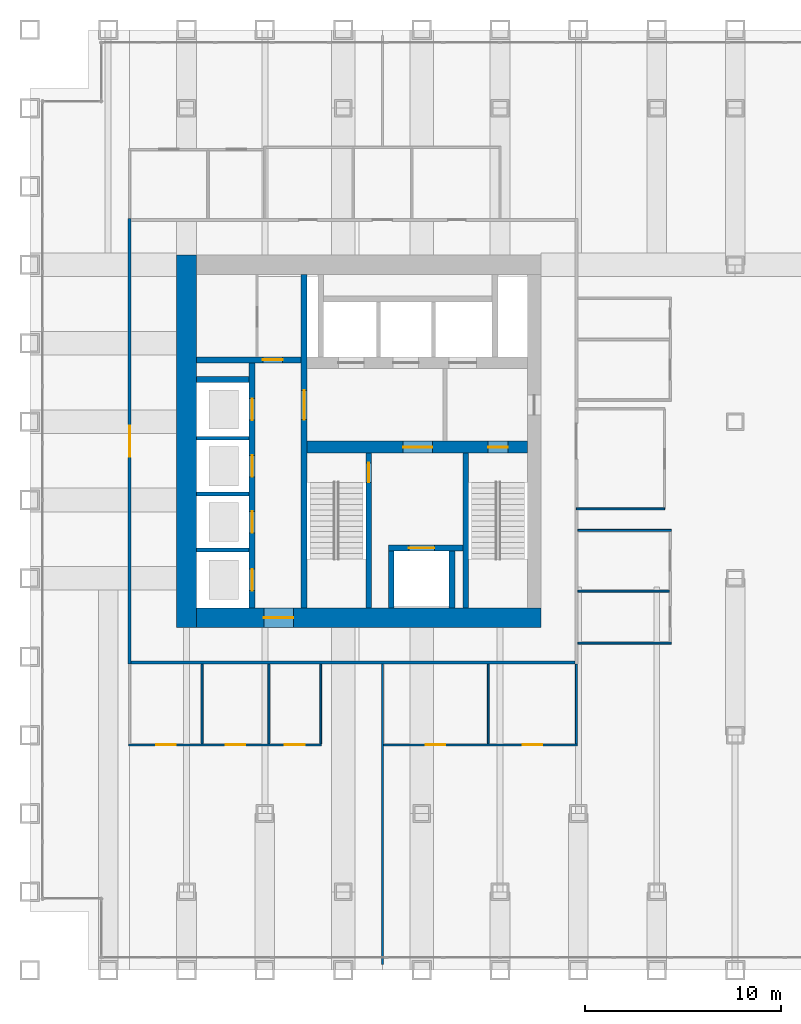
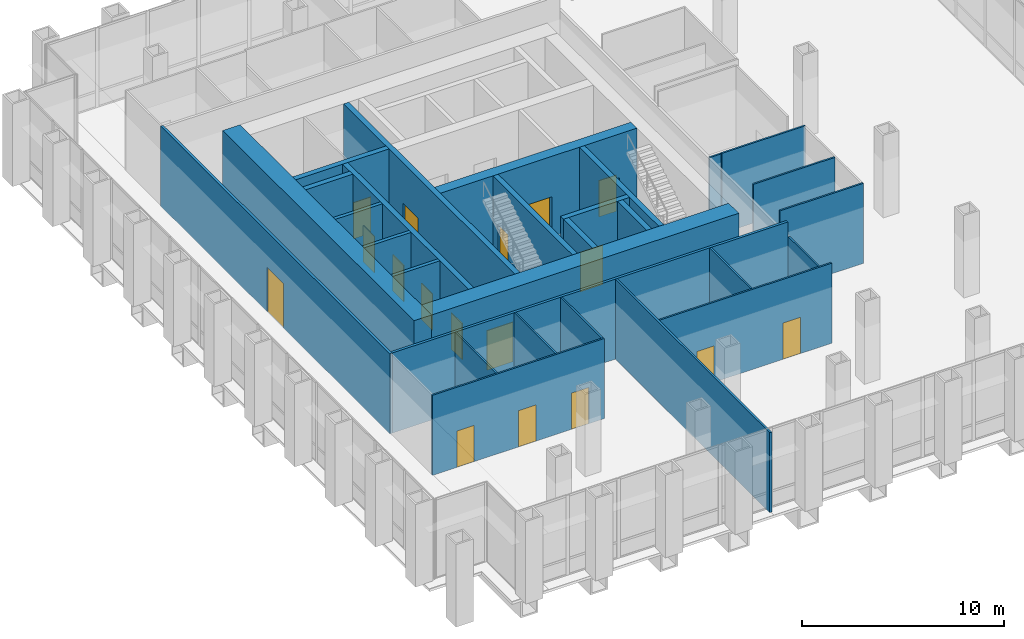
# One storey, part 12 of 16: 29 walls, 17 doors, 17 openings.
"""IFC4 building model written with IfcOpenShell, lengths in metres."""

from ifc_helpers import new_model, si_unit, direction, frame, frame_2d, origin, place, context, subcontext, project, spatial, rectangle, extrude, material, layer, layer_set, type_object, element, fill, save


model = new_model("IFC4")

# Units and contexts
model_context = context("Model", 3, precision=1e-05, world=origin(), true_north=direction((0.0, 1.0)))
body_context = subcontext(model_context, "Body", "Model", "MODEL_VIEW")
ifc_project = project(units=[si_unit("LENGTHUNIT", "METRE"), si_unit("AREAUNIT", "SQUARE_METRE"), si_unit("VOLUMEUNIT", "CUBIC_METRE"), si_unit("PLANEANGLEUNIT", "RADIAN"), si_unit("MASSUNIT", "GRAM", prefix="KILO")], contexts=[model_context])

# Site, building, storey
site_placement = place(None, origin())
site = spatial("IfcSite", under=ifc_project, at=site_placement, CompositionType="ELEMENT")
building_placement = place(site_placement, origin())
building = spatial("IfcBuilding", under=site, at=building_placement, Name="Rimbunsela Tower", CompositionType="ELEMENT")
storey_placement = place(building_placement, frame((0.0, 0.0, 76.39990234375)))
storey = spatial("IfcBuildingStorey", under=building, at=storey_placement, Name="L18", CompositionType="ELEMENT", Elevation=76.39990234375)

# Wall, opening, door
ifc_material_1 = material(Name="Concrete fc' 80 MPa", Category="concrete")
ifc_layer_1 = layer(ifc_material_1, 0.300048828125)
ifc_layer_set_1 = layer_set([ifc_layer_1], Name="Core internal wall 300")
wall_type_1 = type_object("IfcWallType", Name="Core internal wall 300", PredefinedType="SHEAR", material=ifc_layer_set_1)
wall_1_placement = place(storey_placement, frame((24.0, 18.5, -0.14990234375), z_axis=(0.0, 0.0, 1.0), x_axis=(0.0, 1.0, 0.0)))
wall_1 = element("IfcWall", 1, at=wall_1_placement, inside=storey, type_object=wall_type_1, Name="Core wall at stair A", PredefinedType="SHEAR", context=body_context, shape_type="SweptSolid", body=[
    extrude(rectangle(XDim=17.0, YDim=0.300048828125, at=frame_2d((8.5, 0.0))), origin(), (0.0, 0.0, 1.0), 5.0),
])
opening_1_placement = place(wall_1_placement, frame((9.60009765625, 0.0, 0.14990234375)))
opening_1 = element("IfcOpeningElement", 2, at=opening_1_placement, cuts=wall_1, Name="Opening D03", PredefinedType="OPENING", context=body_context, shape_type="SweptSolid", body=[
    extrude(rectangle(XDim=1.5, YDim=2.39990234375, at=frame_2d((0.75, 1.199951171875))), frame((0.0, 0.159912109375, 0.0), z_axis=(0.0, -1.0, 0.0), x_axis=(1.0, 0.0, 0.0)), (0.0, 0.0, 1.0), 0.320068359375),
])
ifc_material_2 = material(Name="Steel door, fire rated", Category="steel")
door_type_1 = type_object("IfcDoorType", Name="Core lobby door 1500", OperationType="DOUBLE_DOOR_DOUBLE_SWING", PredefinedType="DOOR", material=ifc_material_2)
door_1_placement = place(opening_1_placement, origin())
door_1 = element("IfcDoor", 3, at=door_1_placement, inside=storey, type_object=door_type_1, Name="West lobby door", OperationType="DOUBLE_DOOR_DOUBLE_SWING", OverallHeight=2.39990234375, OverallWidth=1.5, PredefinedType="DOOR", context=body_context, shape_type="SweptSolid", body=[
    extrude(rectangle(XDim=1.5, YDim=2.39990234375, at=frame_2d((0.75, 1.199951171875))), frame((0.0, 0.02490234375, 0.0), z_axis=(0.0, -1.0, 0.0), x_axis=(1.0, 0.0, 0.0)), (0.0, 0.0, 1.0), 0.050048828125),
])
fill(opening_1, door_1)

wall_2_placement = place(storey_placement, frame((27.300048828125, 18.5, -0.14990234375), z_axis=(0.0, 0.0, 1.0), x_axis=(0.0, 1.0, 0.0)))
wall_2 = element("IfcWall", 4, at=wall_2_placement, inside=storey, type_object=wall_type_1, Name="Stair A enclosure", PredefinedType="SHEAR", context=body_context, shape_type="SweptSolid", body=[
    extrude(rectangle(XDim=7.89990234375, YDim=0.300048828125, at=frame_2d((3.949951171875, 0.0))), origin(), (0.0, 0.0, 1.0), 5.0),
])
opening_2_placement = place(wall_2_placement, frame((6.39990234375, 0.0, 0.14990234375)))
opening_2 = element("IfcOpeningElement", 5, at=opening_2_placement, cuts=wall_2, Name="Opening D01", PredefinedType="OPENING", context=body_context, shape_type="SweptSolid", body=[
    extrude(rectangle(XDim=1.0, YDim=2.199951171875, at=frame_2d((0.5, 1.10009765625))), frame((0.0, 0.159912109375, 0.0), z_axis=(0.0, -1.0, 0.0), x_axis=(1.0, 0.0, 0.0)), (0.0, 0.0, 1.0), 0.320068359375),
])
ifc_material_3 = material(Name="Steel door, fire rated", Category="steel")
door_type_2 = type_object("IfcDoorType", Name="Stair door 1000", OperationType="SINGLE_SWING_RIGHT", PredefinedType="DOOR", material=ifc_material_3)
door_2_placement = place(opening_2_placement, origin())
door_2 = element("IfcDoor", 6, at=door_2_placement, inside=storey, type_object=door_type_2, Name="Stair A door", OperationType="SINGLE_SWING_RIGHT", OverallHeight=2.199951171875, OverallWidth=1.0, PredefinedType="DOOR", context=body_context, shape_type="SweptSolid", body=[
    extrude(rectangle(XDim=1.0, YDim=2.199951171875, at=frame_2d((0.5, 1.10009765625))), frame((0.0, 0.02490234375, 0.0), z_axis=(0.0, -1.0, 0.0), x_axis=(1.0, 0.0, 0.0)), (0.0, 0.0, 1.0), 0.050048828125),
])
fill(opening_2, door_2)

# Walls
wall_3_placement = place(storey_placement, frame((32.25, 18.5, -0.14990234375), z_axis=(0.0, 0.0, 1.0), x_axis=(0.0, 1.0, 0.0)))
element("IfcWall", 7, at=wall_3_placement, inside=storey, type_object=wall_type_1, Name="Stair B enclosure", PredefinedType="SHEAR", context=body_context, shape_type="SweptSolid", body=[
    extrude(rectangle(XDim=7.89990234375, YDim=0.300048828125, at=frame_2d((3.949951171875, 0.0))), origin(), (0.0, 0.0, 1.0), 5.0),
])
for number, where, z_axis, x_axis, name in (
    (8, (28.449951171875, 18.5, -0.14990234375), (0.0, 0.0, 1.0), (0.0, 1.0, 0.0), "Firefighting lift shaft west"),
    (9, (31.550048828125, 18.5, -0.14990234375), (0.0, 0.0, 1.0), (0.0, 1.0, 0.0), "Firefighting lift shaft east"),
):
    element("IfcWall", number, at=place(storey_placement, frame(where, z_axis=z_axis, x_axis=x_axis)), inside=storey, type_object=wall_type_1, Name=name, PredefinedType="SHEAR", context=body_context, shape_type="SweptSolid", body=[
        extrude(rectangle(XDim=2.89990234375, YDim=0.300048828125, at=frame_2d((1.449951171875, 0.0))), origin(), (0.0, 0.0, 1.0), 5.0),
    ])

# Wall, opening, door
wall_4_placement = place(storey_placement, frame((28.300048828125, 21.550048828125, -0.14990234375), z_axis=(0.0, 0.0, 1.0), x_axis=(1.0, 0.0, 0.0)))
wall_4 = element("IfcWall", 10, at=wall_4_placement, inside=storey, type_object=wall_type_1, Name="Firefighting lift shaft front", PredefinedType="SHEAR", context=body_context, shape_type="SweptSolid", body=[
    extrude(rectangle(XDim=3.800048828125, YDim=0.300048828125, at=frame_2d((1.89990234375, 0.0))), origin(), (0.0, 0.0, 1.0), 5.0),
])
opening_3_placement = place(wall_4_placement, frame((1.050048828125, 0.0, 0.14990234375)))
opening_3 = element("IfcOpeningElement", 11, at=opening_3_placement, cuts=wall_4, Name="Opening LD2", PredefinedType="OPENING", context=body_context, shape_type="SweptSolid", body=[
    extrude(rectangle(XDim=1.300048828125, YDim=2.39990234375, at=frame_2d((0.64990234375, 1.199951171875))), frame((0.0, 0.159912109375, 0.0), z_axis=(0.0, -1.0, 0.0), x_axis=(1.0, 0.0, 0.0)), (0.0, 0.0, 1.0), 0.320068359375),
])
ifc_material_4 = material(Name="Steel door, fire rated", Category="steel")
door_type_3 = type_object("IfcDoorType", Name="Lift landing door 1300", OperationType="DOUBLE_DOOR_SLIDING", PredefinedType="DOOR", material=ifc_material_4)
door_3_placement = place(opening_3_placement, origin())
door_3 = element("IfcDoor", 12, at=door_3_placement, inside=storey, type_object=door_type_3, Name="Lift landing door FL1", OperationType="DOUBLE_DOOR_SLIDING", OverallHeight=2.39990234375, OverallWidth=1.300048828125, PredefinedType="DOOR", context=body_context, shape_type="SweptSolid", body=[
    extrude(rectangle(XDim=1.300048828125, YDim=2.39990234375, at=frame_2d((0.64990234375, 1.199951171875))), frame((0.0, 0.02490234375, 0.0), z_axis=(0.0, -1.0, 0.0), x_axis=(1.0, 0.0, 0.0)), (0.0, 0.0, 1.0), 0.050048828125),
])
fill(opening_3, door_3)

# Wall, openings, doors
wall_5_placement = place(storey_placement, frame((21.35009765625, 18.5, -0.14990234375), z_axis=(0.0, 0.0, 1.0), x_axis=(0.0, 1.0, 0.0)))
wall_5 = element("IfcWall", 13, at=wall_5_placement, inside=storey, type_object=wall_type_1, Name="Lift shaft front west", PredefinedType="SHEAR", context=body_context, shape_type="SweptSolid", body=[
    extrude(rectangle(XDim=12.5, YDim=0.300048828125, at=frame_2d((6.25, 0.0))), origin(), (0.0, 0.0, 1.0), 5.0),
])
opening_4_placement = place(wall_5_placement, frame((0.875, 0.0, 0.14990234375)))
opening_4 = element("IfcOpeningElement", 14, at=opening_4_placement, cuts=wall_5, Name="Opening LD1", PredefinedType="OPENING", context=body_context, shape_type="SweptSolid", body=[
    extrude(rectangle(XDim=1.10009765625, YDim=2.199951171875, at=frame_2d((0.550048828125, 1.10009765625))), frame((0.0, 0.159912109375, 0.0), z_axis=(0.0, -1.0, 0.0), x_axis=(1.0, 0.0, 0.0)), (0.0, 0.0, 1.0), 0.320068359375),
])
opening_5_placement = place(wall_5_placement, frame((3.824951171875, 0.0, 0.14990234375)))
opening_5 = element("IfcOpeningElement", 15, at=opening_5_placement, cuts=wall_5, Name="Opening LD1", PredefinedType="OPENING", context=body_context, shape_type="SweptSolid", body=[
    extrude(rectangle(XDim=1.10009765625, YDim=2.199951171875, at=frame_2d((0.550048828125, 1.10009765625))), frame((0.0, 0.159912109375, 0.0), z_axis=(0.0, -1.0, 0.0), x_axis=(1.0, 0.0, 0.0)), (0.0, 0.0, 1.0), 0.320068359375),
])
opening_6_placement = place(wall_5_placement, frame((6.675048828125, 0.0, 0.14990234375)))
opening_6 = element("IfcOpeningElement", 16, at=opening_6_placement, cuts=wall_5, Name="Opening LD1", PredefinedType="OPENING", context=body_context, shape_type="SweptSolid", body=[
    extrude(rectangle(XDim=1.10009765625, YDim=2.199951171875, at=frame_2d((0.550048828125, 1.10009765625))), frame((0.0, 0.159912109375, 0.0), z_axis=(0.0, -1.0, 0.0), x_axis=(1.0, 0.0, 0.0)), (0.0, 0.0, 1.0), 0.320068359375),
])
opening_7_placement = place(wall_5_placement, frame((9.574951171875, 0.0, 0.14990234375)))
opening_7 = element("IfcOpeningElement", 17, at=opening_7_placement, cuts=wall_5, Name="Opening LD1", PredefinedType="OPENING", context=body_context, shape_type="SweptSolid", body=[
    extrude(rectangle(XDim=1.10009765625, YDim=2.199951171875, at=frame_2d((0.550048828125, 1.10009765625))), frame((0.0, 0.159912109375, 0.0), z_axis=(0.0, -1.0, 0.0), x_axis=(1.0, 0.0, 0.0)), (0.0, 0.0, 1.0), 0.320068359375),
])
ifc_material_5 = material(Name="Steel door, fire rated", Category="steel")
door_type_4 = type_object("IfcDoorType", Name="Lift landing door 1100", OperationType="DOUBLE_DOOR_SLIDING", PredefinedType="DOOR", material=ifc_material_5)
door_4_placement = place(opening_4_placement, origin())
door_4 = element("IfcDoor", 18, at=door_4_placement, inside=storey, type_object=door_type_4, Name="Lift landing door ML1", OperationType="DOUBLE_DOOR_SLIDING", OverallHeight=2.199951171875, OverallWidth=1.10009765625, PredefinedType="DOOR", context=body_context, shape_type="SweptSolid", body=[
    extrude(rectangle(XDim=1.10009765625, YDim=2.199951171875, at=frame_2d((0.550048828125, 1.10009765625))), frame((0.0, 0.02490234375, 0.0), z_axis=(0.0, -1.0, 0.0), x_axis=(1.0, 0.0, 0.0)), (0.0, 0.0, 1.0), 0.050048828125),
])
fill(opening_4, door_4)
door_5_placement = place(opening_5_placement, origin())
door_5 = element("IfcDoor", 19, at=door_5_placement, inside=storey, type_object=door_type_4, Name="Lift landing door ML2", OperationType="DOUBLE_DOOR_SLIDING", OverallHeight=2.199951171875, OverallWidth=1.10009765625, PredefinedType="DOOR", context=body_context, shape_type="SweptSolid", body=[
    extrude(rectangle(XDim=1.10009765625, YDim=2.199951171875, at=frame_2d((0.550048828125, 1.10009765625))), frame((0.0, 0.02490234375, 0.0), z_axis=(0.0, -1.0, 0.0), x_axis=(1.0, 0.0, 0.0)), (0.0, 0.0, 1.0), 0.050048828125),
])
fill(opening_5, door_5)
door_6_placement = place(opening_6_placement, origin())
door_6 = element("IfcDoor", 20, at=door_6_placement, inside=storey, type_object=door_type_4, Name="Lift landing door ML3", OperationType="DOUBLE_DOOR_SLIDING", OverallHeight=2.199951171875, OverallWidth=1.10009765625, PredefinedType="DOOR", context=body_context, shape_type="SweptSolid", body=[
    extrude(rectangle(XDim=1.10009765625, YDim=2.199951171875, at=frame_2d((0.550048828125, 1.10009765625))), frame((0.0, 0.02490234375, 0.0), z_axis=(0.0, -1.0, 0.0), x_axis=(1.0, 0.0, 0.0)), (0.0, 0.0, 1.0), 0.050048828125),
])
fill(opening_6, door_6)
door_7_placement = place(opening_7_placement, origin())
door_7 = element("IfcDoor", 21, at=door_7_placement, inside=storey, type_object=door_type_4, Name="Lift landing door ML4", OperationType="DOUBLE_DOOR_SLIDING", OverallHeight=2.199951171875, OverallWidth=1.10009765625, PredefinedType="DOOR", context=body_context, shape_type="SweptSolid", body=[
    extrude(rectangle(XDim=1.10009765625, YDim=2.199951171875, at=frame_2d((0.550048828125, 1.10009765625))), frame((0.0, 0.02490234375, 0.0), z_axis=(0.0, -1.0, 0.0), x_axis=(1.0, 0.0, 0.0)), (0.0, 0.0, 1.0), 0.050048828125),
])
fill(opening_7, door_7)

# Wall, opening, door
wall_6_placement = place(storey_placement, frame((18.5, 31.14990234375, -0.14990234375), z_axis=(0.0, 0.0, 1.0), x_axis=(1.0, 0.0, 0.0)))
wall_6 = element("IfcWall", 22, at=wall_6_placement, inside=storey, type_object=wall_type_1, Name="Store wall", PredefinedType="SHEAR", context=body_context, shape_type="SweptSolid", body=[
    extrude(rectangle(XDim=5.35009765625, YDim=0.300048828125, at=frame_2d((2.675048828125, 0.0))), origin(), (0.0, 0.0, 1.0), 5.0),
])
opening_8_placement = place(wall_6_placement, frame((3.39990234375, 0.0, 0.14990234375)))
opening_8 = element("IfcOpeningElement", 23, at=opening_8_placement, cuts=wall_6, Name="Opening D19", PredefinedType="OPENING", context=body_context, shape_type="SweptSolid", body=[
    extrude(rectangle(XDim=1.0, YDim=2.199951171875, at=frame_2d((0.5, 1.10009765625))), frame((0.0, 0.159912109375, 0.0), z_axis=(0.0, -1.0, 0.0), x_axis=(1.0, 0.0, 0.0)), (0.0, 0.0, 1.0), 0.320068359375),
])
ifc_material_6 = material(Name="Steel door, fire rated", Category="steel")
door_type_5 = type_object("IfcDoorType", Name="Service door 1000 fire rated", OperationType="SINGLE_SWING_LEFT", PredefinedType="DOOR", material=ifc_material_6)
door_8_placement = place(opening_8_placement, origin())
door_8 = element("IfcDoor", 24, at=door_8_placement, inside=storey, type_object=door_type_5, Name="Staff pantry door", OperationType="SINGLE_SWING_LEFT", OverallHeight=2.199951171875, OverallWidth=1.0, PredefinedType="DOOR", context=body_context, shape_type="SweptSolid", body=[
    extrude(rectangle(XDim=1.0, YDim=2.199951171875, at=frame_2d((0.5, 1.10009765625))), frame((0.0, 0.02490234375, 0.0), z_axis=(0.0, -1.0, 0.0), x_axis=(1.0, 0.0, 0.0)), (0.0, 0.0, 1.0), 0.050048828125),
])
fill(opening_8, door_8)

# Wall
wall_7_placement = place(storey_placement, frame((18.5, 30.14990234375, -0.14990234375), z_axis=(0.0, 0.0, 1.0), x_axis=(1.0, 0.0, 0.0)))
element("IfcWall", 25, at=wall_7_placement, inside=storey, type_object=wall_type_1, Name="Lift shaft rear west", PredefinedType="SHEAR", context=body_context, shape_type="SweptSolid", body=[
    extrude(rectangle(XDim=2.699951171875, YDim=0.300048828125, at=frame_2d((1.35009765625, 0.0))), origin(), (0.0, 0.0, 1.0), 5.0),
])

# Wall, openings, doors
ifc_material_7 = material(Name="Concrete fc' 80 MPa", Category="concrete")
ifc_layer_2 = layer(ifc_material_7, 0.60009765625)
ifc_layer_set_2 = layer_set([ifc_layer_2], Name="Core internal wall 600")
wall_type_2 = type_object("IfcWallType", Name="Core internal wall 600", PredefinedType="SHEAR", material=ifc_layer_set_2)
wall_8_placement = place(storey_placement, frame((24.14990234375, 26.699951171875, -0.14990234375), z_axis=(0.0, 0.0, 1.0), x_axis=(1.0, 0.0, 0.0)))
wall_8 = element("IfcWall", 26, at=wall_8_placement, inside=storey, type_object=wall_type_2, Name="Core wall lobby south", PredefinedType="SHEAR", context=body_context, shape_type="SweptSolid", body=[
    extrude(rectangle(XDim=11.25, YDim=0.60009765625, at=frame_2d((5.625, 0.0))), origin(), (0.0, 0.0, 1.0), 5.0),
])
opening_9_placement = place(wall_8_placement, frame((9.25, 0.0, 0.14990234375)))
opening_9 = element("IfcOpeningElement", 27, at=opening_9_placement, cuts=wall_8, Name="Opening D01", PredefinedType="OPENING", context=body_context, shape_type="SweptSolid", body=[
    extrude(rectangle(XDim=1.0, YDim=2.199951171875, at=frame_2d((0.5, 1.10009765625))), frame((0.0, 0.31005859375, 0.0), z_axis=(0.0, -1.0, 0.0), x_axis=(1.0, 0.0, 0.0)), (0.0, 0.0, 1.0), 0.6201171875),
])
opening_10_placement = place(wall_8_placement, frame((4.89990234375, 0.0, 0.14990234375)))
opening_10 = element("IfcOpeningElement", 28, at=opening_10_placement, cuts=wall_8, Name="Opening D03", PredefinedType="OPENING", context=body_context, shape_type="SweptSolid", body=[
    extrude(rectangle(XDim=1.5, YDim=2.39990234375, at=frame_2d((0.75, 1.199951171875))), frame((0.0, 0.31005859375, 0.0), z_axis=(0.0, -1.0, 0.0), x_axis=(1.0, 0.0, 0.0)), (0.0, 0.0, 1.0), 0.6201171875),
])
door_9_placement = place(opening_10_placement, origin())
door_9 = element("IfcDoor", 29, at=door_9_placement, inside=storey, type_object=door_type_1, Name="Firefighting lobby door", OperationType="DOUBLE_DOOR_DOUBLE_SWING", OverallHeight=2.39990234375, OverallWidth=1.5, PredefinedType="DOOR", context=body_context, shape_type="SweptSolid", body=[
    extrude(rectangle(XDim=1.5, YDim=2.39990234375, at=frame_2d((0.75, 1.199951171875))), frame((0.0, 0.02490234375, 0.0), z_axis=(0.0, -1.0, 0.0), x_axis=(1.0, 0.0, 0.0)), (0.0, 0.0, 1.0), 0.050048828125),
])
fill(opening_10, door_9)
door_10_placement = place(opening_9_placement, frame((1.0, 0.0, 0.0), z_axis=(0.0, 0.0, 1.0), x_axis=(-1.0, 0.0, 0.0)))
door_10 = element("IfcDoor", 30, at=door_10_placement, inside=storey, type_object=door_type_2, Name="Stair B door", OperationType="SINGLE_SWING_RIGHT", OverallHeight=2.199951171875, OverallWidth=1.0, PredefinedType="DOOR", context=body_context, shape_type="SweptSolid", body=[
    extrude(rectangle(XDim=1.0, YDim=2.199951171875, at=frame_2d((0.5, 1.10009765625))), frame((0.0, 0.02490234375, 0.0), z_axis=(0.0, -1.0, 0.0), x_axis=(1.0, 0.0, 0.0)), (0.0, 0.0, 1.0), 0.050048828125),
])
fill(opening_9, door_10)

# Wall
ifc_material_8 = material(Name="Concrete fc' 80 MPa", Category="concrete")
ifc_layer_3 = layer(ifc_material_8, 1.0)
ifc_layer_set_3 = layer_set([ifc_layer_3], Name="Core wall 1000")
wall_type_3 = type_object("IfcWallType", Name="Core wall 1000", PredefinedType="SHEAR", material=ifc_layer_set_3)
wall_9_placement = place(storey_placement, frame((18.0, 17.5, -0.14990234375), z_axis=(0.0, 0.0, 1.0), x_axis=(0.0, 1.0, 0.0)))
element("IfcWall", 31, at=wall_9_placement, inside=storey, type_object=wall_type_3, Name="Core wall west", PredefinedType="SHEAR", context=body_context, shape_type="SweptSolid", body=[
    extrude(rectangle(XDim=19.0, YDim=1.0, at=frame_2d((9.5, 0.0))), origin(), (0.0, 0.0, 1.0), 5.0),
])

# Wall, opening, door
wall_10_placement = place(storey_placement, frame((18.5, 18.0, -0.14990234375), z_axis=(0.0, 0.0, 1.0), x_axis=(1.0, 0.0, 0.0)))
wall_10 = element("IfcWall", 32, at=wall_10_placement, inside=storey, type_object=wall_type_3, Name="Core wall south", PredefinedType="SHEAR", context=body_context, shape_type="SweptSolid", body=[
    extrude(rectangle(XDim=17.60009765625, YDim=1.0, at=frame_2d((8.800048828125, 0.0))), origin(), (0.0, 0.0, 1.0), 5.0),
])
opening_11_placement = place(wall_10_placement, frame((3.449951171875, 0.0, 0.14990234375)))
opening_11 = element("IfcOpeningElement", 33, at=opening_11_placement, cuts=wall_10, Name="Opening D03", PredefinedType="OPENING", context=body_context, shape_type="SweptSolid", body=[
    extrude(rectangle(XDim=1.5, YDim=2.39990234375, at=frame_2d((0.75, 1.199951171875))), frame((0.0, 0.510009765625, 0.0), z_axis=(0.0, -1.0, 0.0), x_axis=(1.0, 0.0, 0.0)), (0.0, 0.0, 1.0), 1.02001953125),
])
door_11_placement = place(opening_11_placement, origin())
door_11 = element("IfcDoor", 34, at=door_11_placement, inside=storey, type_object=door_type_1, Name="Core door south", OperationType="DOUBLE_DOOR_DOUBLE_SWING", OverallHeight=2.39990234375, OverallWidth=1.5, PredefinedType="DOOR", context=body_context, shape_type="SweptSolid", body=[
    extrude(rectangle(XDim=1.5, YDim=2.39990234375, at=frame_2d((0.75, 1.199951171875))), frame((0.0, 0.02490234375, 0.0), z_axis=(0.0, -1.0, 0.0), x_axis=(1.0, 0.0, 0.0)), (0.0, 0.0, 1.0), 0.050048828125),
])
fill(opening_11, door_11)

# Walls
ifc_material_9 = material(Name="Concrete blockwork", Category="masonry")
ifc_layer_4 = layer(ifc_material_9, 0.199951171875)
ifc_layer_set_4 = layer_set([ifc_layer_4], Name="Lift shaft wall 200")
wall_type_4 = type_object("IfcWallType", Name="Lift shaft wall 200", PredefinedType="SOLIDWALL", material=ifc_layer_set_4)
for number, where, z_axis, x_axis, name in (
    (35, (18.5, 21.449951171875, -0.14990234375), (0.0, 0.0, 1.0), (1.0, 0.0, 0.0), "Lift shaft separation"),
    (36, (18.5, 24.300048828125, -0.14990234375), (0.0, 0.0, 1.0), (1.0, 0.0, 0.0), "Lift shaft separation"),
    (37, (18.5, 27.14990234375, -0.14990234375), (0.0, 0.0, 1.0), (1.0, 0.0, 0.0), "Lift shaft separation"),
):
    element("IfcWall", number, at=place(storey_placement, frame(where, z_axis=z_axis, x_axis=x_axis)), inside=storey, type_object=wall_type_4, Name=name, PredefinedType="SOLIDWALL", context=body_context, shape_type="SweptSolid", body=[
        extrude(rectangle(XDim=2.699951171875, YDim=0.199951171875, at=frame_2d((1.35009765625, 0.0))), origin(), (0.0, 0.0, 1.0), 5.0),
    ])

# Wall, openings, doors
ifc_material_10 = material(Name="Gypsum board on steel studs", Category="steel")
ifc_layer_5 = layer(ifc_material_10, 0.10009765625)
ifc_layer_set_5 = layer_set([ifc_layer_5], Name="Office partition 100")
wall_type_5 = type_object("IfcWallType", Name="Office partition 100", PredefinedType="PARTITIONING", material=ifc_layer_set_5)
wall_11_placement = place(storey_placement, frame((15.050048828125, 11.5, 0.0), z_axis=(0.0, 0.0, 1.0), x_axis=(1.0, 0.0, 0.0)))
wall_11 = element("IfcWall", 38, at=wall_11_placement, inside=storey, type_object=wall_type_5, Name="Office partition", PredefinedType="PARTITIONING", context=body_context, shape_type="SweptSolid", body=[
    extrude(rectangle(XDim=9.849853515625, YDim=0.10009765625, at=frame_2d((4.9248046875, 0.0))), origin(), (0.0, 0.0, 1.0), 4.85009765625),
])
opening_12_placement = place(wall_11_placement, frame((1.39990234375, 0.0, 0.0)))
opening_12 = element("IfcOpeningElement", 39, at=opening_12_placement, cuts=wall_11, Name="Opening D17", PredefinedType="OPENING", context=body_context, shape_type="SweptSolid", body=[
    extrude(rectangle(XDim=1.0, YDim=2.199951171875, at=frame_2d((0.5, 1.10009765625))), frame((0.0, 0.06005859375, 0.0), z_axis=(0.0, -1.0, 0.0), x_axis=(1.0, 0.0, 0.0)), (0.0, 0.0, 1.0), 0.1201171875),
])
opening_13_placement = place(wall_11_placement, frame((4.949951171875, 0.0, 0.0)))
opening_13 = element("IfcOpeningElement", 40, at=opening_13_placement, cuts=wall_11, Name="Opening D16", PredefinedType="OPENING", context=body_context, shape_type="SweptSolid", body=[
    extrude(rectangle(XDim=1.0, YDim=2.199951171875, at=frame_2d((0.5, 1.10009765625))), frame((0.0, 0.06005859375, 0.0), z_axis=(0.0, -1.0, 0.0), x_axis=(1.0, 0.0, 0.0)), (0.0, 0.0, 1.0), 0.1201171875),
])
opening_14_placement = place(wall_11_placement, frame((7.97509765625, 0.0, 0.0)))
opening_14 = element("IfcOpeningElement", 41, at=opening_14_placement, cuts=wall_11, Name="Opening D16", PredefinedType="OPENING", context=body_context, shape_type="SweptSolid", body=[
    extrude(rectangle(XDim=1.0, YDim=2.199951171875, at=frame_2d((0.5, 1.10009765625))), frame((0.0, 0.06005859375, 0.0), z_axis=(0.0, -1.0, 0.0), x_axis=(1.0, 0.0, 0.0)), (0.0, 0.0, 1.0), 0.1201171875),
])
ifc_material_11 = material(Name="Glazed aluminium door", Category="aluminium")
door_type_6 = type_object("IfcDoorType", Name="Meeting room door 1000 glazed", OperationType="SINGLE_SWING_RIGHT", PredefinedType="DOOR", material=ifc_material_11)
door_12_placement = place(opening_12_placement, origin())
door_12 = element("IfcDoor", 42, at=door_12_placement, inside=storey, type_object=door_type_6, Name="Meeting room door", OperationType="SINGLE_SWING_RIGHT", OverallHeight=2.199951171875, OverallWidth=1.0, PredefinedType="DOOR", context=body_context, shape_type="SweptSolid", body=[
    extrude(rectangle(XDim=1.0, YDim=2.199951171875, at=frame_2d((0.5, 1.10009765625))), frame((0.0, 0.02490234375, 0.0), z_axis=(0.0, -1.0, 0.0), x_axis=(1.0, 0.0, 0.0)), (0.0, 0.0, 1.0), 0.050048828125),
])
fill(opening_12, door_12)
ifc_material_12 = material(Name="Timber door", Category="wood")
door_type_7 = type_object("IfcDoorType", Name="Office door 1000", OperationType="SINGLE_SWING_LEFT", PredefinedType="DOOR", material=ifc_material_12)
door_13_placement = place(opening_13_placement, origin())
door_13 = element("IfcDoor", 43, at=door_13_placement, inside=storey, type_object=door_type_7, Name="Office door", OperationType="SINGLE_SWING_LEFT", OverallHeight=2.199951171875, OverallWidth=1.0, PredefinedType="DOOR", context=body_context, shape_type="SweptSolid", body=[
    extrude(rectangle(XDim=1.0, YDim=2.199951171875, at=frame_2d((0.5, 1.10009765625))), frame((0.0, 0.02490234375, 0.0), z_axis=(0.0, -1.0, 0.0), x_axis=(1.0, 0.0, 0.0)), (0.0, 0.0, 1.0), 0.050048828125),
])
fill(opening_13, door_13)
door_14_placement = place(opening_14_placement, origin())
door_14 = element("IfcDoor", 44, at=door_14_placement, inside=storey, type_object=door_type_7, Name="Office door", OperationType="SINGLE_SWING_LEFT", OverallHeight=2.199951171875, OverallWidth=1.0, PredefinedType="DOOR", context=body_context, shape_type="SweptSolid", body=[
    extrude(rectangle(XDim=1.0, YDim=2.199951171875, at=frame_2d((0.5, 1.10009765625))), frame((0.0, 0.02490234375, 0.0), z_axis=(0.0, -1.0, 0.0), x_axis=(1.0, 0.0, 0.0)), (0.0, 0.0, 1.0), 0.050048828125),
])
fill(opening_14, door_14)

wall_12_placement = place(storey_placement, frame((28.06103515625, 11.5, 0.0), z_axis=(0.0, 0.0, 1.0), x_axis=(1.0, 0.0, 0.0)))
wall_12 = element("IfcWall", 45, at=wall_12_placement, inside=storey, type_object=wall_type_5, Name="Office partition", PredefinedType="PARTITIONING", context=body_context, shape_type="SweptSolid", body=[
    extrude(rectangle(XDim=9.888916015625, YDim=0.10009765625, at=frame_2d((4.9443359375, 0.0))), origin(), (0.0, 0.0, 1.0), 4.85009765625),
])
opening_15_placement = place(wall_12_placement, frame((2.139892578125, 0.0, 0.0)))
opening_15 = element("IfcOpeningElement", 46, at=opening_15_placement, cuts=wall_12, Name="Opening D17", PredefinedType="OPENING", context=body_context, shape_type="SweptSolid", body=[
    extrude(rectangle(XDim=1.0, YDim=2.199951171875, at=frame_2d((0.5, 1.10009765625))), frame((0.0, 0.06005859375, 0.0), z_axis=(0.0, -1.0, 0.0), x_axis=(1.0, 0.0, 0.0)), (0.0, 0.0, 1.0), 0.1201171875),
])
opening_16_placement = place(wall_12_placement, frame((7.089599609375, 0.0, 0.0)))
opening_16 = element("IfcOpeningElement", 47, at=opening_16_placement, cuts=wall_12, Name="Opening D16", PredefinedType="OPENING", context=body_context, shape_type="SweptSolid", body=[
    extrude(rectangle(XDim=1.0, YDim=2.199951171875, at=frame_2d((0.5, 1.10009765625))), frame((0.0, 0.06005859375, 0.0), z_axis=(0.0, -1.0, 0.0), x_axis=(1.0, 0.0, 0.0)), (0.0, 0.0, 1.0), 0.1201171875),
])
door_15_placement = place(opening_15_placement, origin())
door_15 = element("IfcDoor", 48, at=door_15_placement, inside=storey, type_object=door_type_6, Name="Meeting room door", OperationType="SINGLE_SWING_RIGHT", OverallHeight=2.199951171875, OverallWidth=1.0, PredefinedType="DOOR", context=body_context, shape_type="SweptSolid", body=[
    extrude(rectangle(XDim=1.0, YDim=2.199951171875, at=frame_2d((0.5, 1.10009765625))), frame((0.0, 0.02490234375, 0.0), z_axis=(0.0, -1.0, 0.0), x_axis=(1.0, 0.0, 0.0)), (0.0, 0.0, 1.0), 0.050048828125),
])
fill(opening_15, door_15)
door_16_placement = place(opening_16_placement, origin())
door_16 = element("IfcDoor", 49, at=door_16_placement, inside=storey, type_object=door_type_7, Name="Office door", OperationType="SINGLE_SWING_LEFT", OverallHeight=2.199951171875, OverallWidth=1.0, PredefinedType="DOOR", context=body_context, shape_type="SweptSolid", body=[
    extrude(rectangle(XDim=1.0, YDim=2.199951171875, at=frame_2d((0.5, 1.10009765625))), frame((0.0, 0.02490234375, 0.0), z_axis=(0.0, -1.0, 0.0), x_axis=(1.0, 0.0, 0.0)), (0.0, 0.0, 1.0), 0.050048828125),
])
fill(opening_16, door_16)

# Walls
wall_13_placement = place(storey_placement, frame((37.97509765625, 16.699951171875, 0.0), z_axis=(0.0, 0.0, 1.0), x_axis=(1.0, 0.0, 0.0)))
element("IfcWall", 50, at=wall_13_placement, inside=storey, type_object=wall_type_5, Name="Office partition", PredefinedType="PARTITIONING", context=body_context, shape_type="SweptSolid", body=[
    extrude(rectangle(XDim=4.77490234375, YDim=0.10009765625, at=frame_2d((2.387451171875, 0.0))), origin(), (0.0, 0.0, 1.0), 4.85009765625),
])
wall_14_placement = place(storey_placement, frame((37.97509765625, 19.35009765625, 0.0), z_axis=(0.0, 0.0, 1.0), x_axis=(1.0, 0.0, 0.0)))
element("IfcWall", 51, at=wall_14_placement, inside=storey, type_object=wall_type_5, Name="Office partition", PredefinedType="PARTITIONING", context=body_context, shape_type="SweptSolid", body=[
    extrude(rectangle(XDim=4.6748046875, YDim=0.10009765625, at=frame_2d((2.33740234375, 0.0))), origin(), (0.0, 0.0, 1.0), 4.85009765625),
])
wall_15_placement = place(storey_placement, frame((37.97509765625, 22.449951171875, 0.0), z_axis=(0.0, 0.0, 1.0), x_axis=(1.0, 0.0, 0.0)))
element("IfcWall", 52, at=wall_15_placement, inside=storey, type_object=wall_type_5, Name="Office partition", PredefinedType="PARTITIONING", context=body_context, shape_type="SweptSolid", body=[
    extrude(rectangle(XDim=4.77490234375, YDim=0.10009765625, at=frame_2d((2.387451171875, 0.0))), origin(), (0.0, 0.0, 1.0), 4.85009765625),
])
for number, where, z_axis, x_axis, name in (
    (53, (18.800048828125, 11.550048828125, 0.0), (0.0, 0.0, 1.0), (0.0, 1.0, 0.0), "Office partition"),
    (54, (22.199951171875, 11.550048828125, 0.0), (0.0, 0.0, 1.0), (0.0, 1.0, 0.0), "Office partition"),
    (55, (24.85009765625, 11.550048828125, 0.0), (0.0, 0.0, 1.0), (0.0, 1.0, 0.0), "Office partition"),
    (56, (33.40087890625, 11.550048828125, 0.0), (0.0, 0.0, 1.0), (0.0, 1.0, 0.0), "Office partition"),
):
    element("IfcWall", number, at=place(storey_placement, frame(where, z_axis=z_axis, x_axis=x_axis)), inside=storey, type_object=wall_type_5, Name=name, PredefinedType="PARTITIONING", context=body_context, shape_type="SweptSolid", body=[
        extrude(rectangle(XDim=4.074951171875, YDim=0.10009765625, at=frame_2d((2.03759765625, 0.0))), origin(), (0.0, 0.0, 1.0), 4.85009765625),
    ])
wall_16_placement = place(storey_placement, frame((37.89990234375, 11.550048828125, 0.0), z_axis=(0.0, 0.0, 1.0), x_axis=(0.0, 1.0, 0.0)))
element("IfcWall", 57, at=wall_16_placement, inside=storey, type_object=wall_type_5, Name="Office partition", PredefinedType="PARTITIONING", context=body_context, shape_type="SweptSolid", body=[
    extrude(rectangle(XDim=4.074951171875, YDim=0.10009765625, at=frame_2d((2.03759765625, 0.0))), origin(), (0.0, 0.0, 1.0), 3.9501953125),
])
wall_17_placement = place(storey_placement, frame((37.89990234375, 23.550048828125, 0.0), z_axis=(0.0, 0.0, 1.0), x_axis=(1.0, 0.0, 0.0)))
element("IfcWall", 58, at=wall_17_placement, inside=storey, type_object=wall_type_5, Name="Office partition", PredefinedType="PARTITIONING", context=body_context, shape_type="SweptSolid", body=[
    extrude(rectangle(XDim=4.5, YDim=0.10009765625, at=frame_2d((2.25, 0.0))), origin(), (0.0, 0.0, 1.0), 3.9501953125),
])

# Wall, opening, door
ifc_material_13 = material(Name="Fire-rated gypsum board on steel studs, EI 60", Category="steel")
ifc_layer_6 = layer(ifc_material_13, 0.14990234375)
ifc_layer_set_6 = layer_set([ifc_layer_6], Name="Rated corridor wall 150")
wall_type_6 = type_object("IfcWallType", Name="Rated corridor wall 150", PredefinedType="PARTITIONING", material=ifc_layer_set_6)
wall_18_placement = place(storey_placement, frame((15.10009765625, 15.625, 0.0), z_axis=(0.0, 0.0, 1.0), x_axis=(0.0, 1.0, 0.0)))
wall_18 = element("IfcWall", 59, at=wall_18_placement, inside=storey, type_object=wall_type_6, Name="Corridor wall west", PredefinedType="PARTITIONING", context=body_context, shape_type="SweptSolid", body=[
    extrude(rectangle(XDim=22.75, YDim=0.14990234375, at=frame_2d((11.375, 0.0))), origin(), (0.0, 0.0, 1.0), 4.85009765625),
])
opening_17_placement = place(wall_18_placement, frame((10.574951171875, 0.0, 0.0)))
opening_17 = element("IfcOpeningElement", 60, at=opening_17_placement, cuts=wall_18, Name="Opening D13", PredefinedType="OPENING", context=body_context, shape_type="SweptSolid", body=[
    extrude(rectangle(XDim=1.60009765625, YDim=2.699951171875, at=frame_2d((0.800048828125, 1.35009765625))), frame((0.0, 0.0849609375, 0.0), z_axis=(0.0, -1.0, 0.0), x_axis=(1.0, 0.0, 0.0)), (0.0, 0.0, 1.0), 0.169921875),
])
ifc_material_14 = material(Name="Glazed aluminium door, fire rated", Category="aluminium")
door_type_8 = type_object("IfcDoorType", Name="Sky lobby door 1600 glazed", OperationType="DOUBLE_DOOR_DOUBLE_SWING", PredefinedType="DOOR", material=ifc_material_14)
door_17_placement = place(opening_17_placement, origin())
door_17 = element("IfcDoor", 61, at=door_17_placement, inside=storey, type_object=door_type_8, Name="Sky lobby door", OperationType="DOUBLE_DOOR_DOUBLE_SWING", OverallHeight=2.699951171875, OverallWidth=1.60009765625, PredefinedType="DOOR", context=body_context, shape_type="SweptSolid", body=[
    extrude(rectangle(XDim=1.60009765625, YDim=2.699951171875, at=frame_2d((0.800048828125, 1.35009765625))), frame((0.0, 0.02490234375, 0.0), z_axis=(0.0, -1.0, 0.0), x_axis=(1.0, 0.0, 0.0)), (0.0, 0.0, 1.0), 0.050048828125),
])
fill(opening_17, door_17)

# Walls
wall_19_placement = place(storey_placement, frame((15.175048828125, 15.699951171875, 0.0), z_axis=(0.0, 0.0, 1.0), x_axis=(1.0, 0.0, 0.0)))
element("IfcWall", 62, at=wall_19_placement, inside=storey, type_object=wall_type_6, Name="Corridor wall south", PredefinedType="PARTITIONING", context=body_context, shape_type="SweptSolid", body=[
    extrude(rectangle(XDim=22.64990234375, YDim=0.14990234375, at=frame_2d((11.324951171875, 0.0))), origin(), (0.0, 0.0, 1.0), 4.85009765625),
])
ifc_material_15 = material(Name="Gypsum board on steel studs", Category="steel")
ifc_layer_7 = layer(ifc_material_15, 0.1201171875)
ifc_layer_set_7 = layer_set([ifc_layer_7], Name="Tenancy partition 120")
wall_type_7 = type_object("IfcWallType", Name="Tenancy partition 120", PredefinedType="PARTITIONING", material=ifc_layer_set_7)
wall_20_placement = place(storey_placement, frame((28.0, 0.300048828125, 0.0), z_axis=(0.0, 0.0, 1.0), x_axis=(0.0, 1.0, 0.0)))
element("IfcWall", 63, at=wall_20_placement, inside=storey, type_object=wall_type_7, Name="Tenancy partition south", PredefinedType="PARTITIONING", context=body_context, shape_type="SweptSolid", body=[
    extrude(rectangle(XDim=15.324951171875, YDim=0.1201171875, at=frame_2d((7.66259765625, 0.0))), origin(), (0.0, 0.0, 1.0), 4.85009765625),
])

save(model, "model.ifc")
